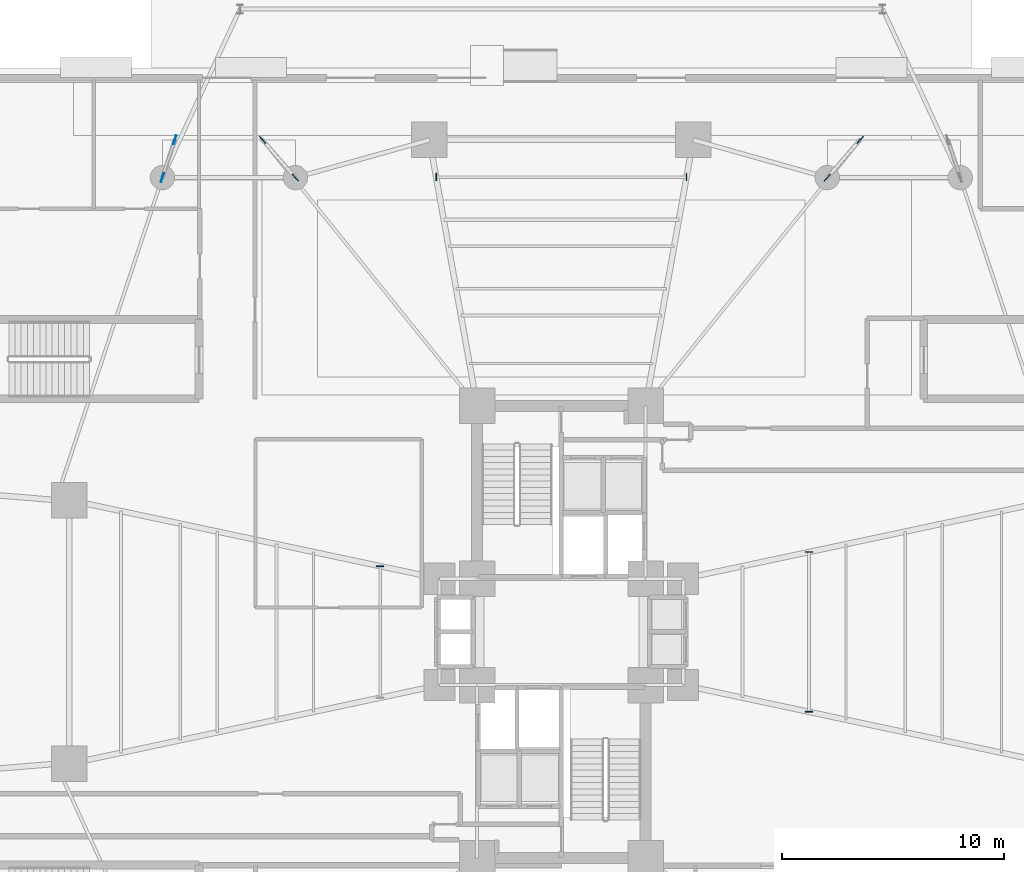
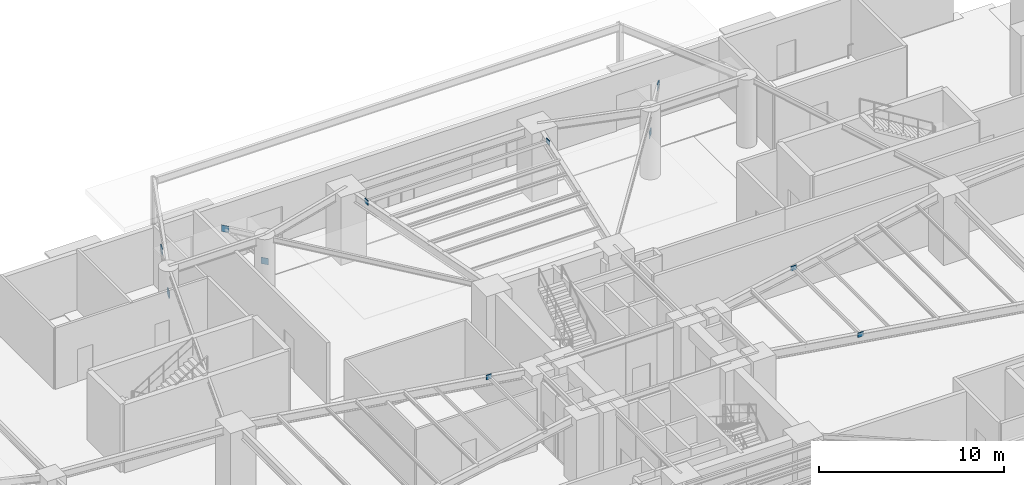
# One storey, part 14 of 31: 11 plates.
"""IFC4 building model written with IfcOpenShell, lengths in metres."""

from ifc_helpers import new_model, si_unit, direction, frame, origin, origin_2d, place, context, subcontext, project, spatial, rectangle, extrude, source, transform, mapped, material, type_object, element, save


model = new_model("IFC4")

# Units and contexts
model_context = context("Model", 3, precision=1e-05, world=origin(), true_north=direction((0.0, 1.0)))
body_context = subcontext(model_context, "Body", "Model", "MODEL_VIEW")
ifc_project = project(units=[si_unit("LENGTHUNIT", "METRE"), si_unit("AREAUNIT", "SQUARE_METRE"), si_unit("VOLUMEUNIT", "CUBIC_METRE"), si_unit("PLANEANGLEUNIT", "RADIAN"), si_unit("MASSUNIT", "GRAM", prefix="KILO")], contexts=[model_context])

# Site, building, storey
site_placement = place(None, origin())
site = spatial("IfcSite", under=ifc_project, at=site_placement, CompositionType="ELEMENT")
building_placement = place(site_placement, origin())
building = spatial("IfcBuilding", under=site, at=building_placement, Name="Sahyath Konkavel Grand Hotel", CompositionType="ELEMENT")
storey_placement = place(building_placement, origin())
storey = spatial("IfcBuildingStorey", under=building, at=storey_placement, Name="L00", CompositionType="ELEMENT", Elevation=0.0)

# Plates
ifc_material = material(Name="Steel E450", Category="steel")
plate_type = type_object("IfcPlateType", Name="GUSSET-END-35", PredefinedType="USERDEFINED", material=ifc_material)
shared_shape_1 = source(origin(), body_context, "Body", "SweptSolid", [
    extrude(rectangle(XDim=0.0400390625, YDim=0.340087890625, at=origin_2d()), origin(), (0.0, 0.0, 1.0), 0.300048828125),
])
for number, where, z_axis, x_axis, name in (
    (1, (11.177978515625, -3.60693359375, 4.22021484375), (0.0, 0.0, 1.0), (0.0, 1.0, 0.0), "L00 Sub-Beam E-2 End Cap A"),
    (2, (11.177978515625, 3.60693359375, 4.22021484375), (0.0, 0.0, 1.0), (0.0, 1.0, 0.0), "L00 Sub-Beam E-2 End Cap B"),
    (3, (-8.172119140625, 2.968017578125, 4.22021484375), (0.0, 0.0, 1.0), (0.0, -1.0, 0.0), "L00 Sub-Beam W-1 End Cap A"),
    (4, (5.64892578125, 20.52001953125, 4.22021484375), (0.0, 0.0, 1.0), (-1.0, 0.0, 0.0), "L00 Sub-Beam N-6 End Cap A"),
    (5, (-5.64892578125, 20.52001953125, 4.22021484375), (0.0, 0.0, 1.0), (-1.0, 0.0, 0.0), "L00 Sub-Beam N-6 End Cap B"),
):
    element("IfcPlate", number, at=place(storey_placement, frame(where, z_axis=z_axis, x_axis=x_axis)), inside=storey, type_object=plate_type, Name=name, ObjectType="GUSSET_PLATE", PredefinedType="USERDEFINED", context=body_context, shape_type="MappedRepresentation", body=[
        mapped(shared_shape_1, transform((0.0, 0.0, 0.0), scale=1.0)),
    ])
shared_shape_2 = source(origin(), body_context, "Body", "SweptSolid", [
    extrude(rectangle(XDim=0.419921875, YDim=0.034912109375, at=origin_2d()), origin(), (0.0, 0.0, 1.0), 0.419921875),
])
for number, where, z_axis, x_axis, name in (
    (6, (-18.0, 20.5, 2.489990234375), (0.0, 0.0, 1.0), (0.312865434255, 0.949797462646, 0.0), "Monsoon Canopy Strut Gusset Plate N-West-1-pier"),
    (7, (-17.43994140625, 22.199951171875, 4.094970703125), (0.0, 0.0, 1.0), (0.312865434255, 0.949797462646, 0.0), "Monsoon Canopy Strut Gusset Plate N-West-1-tip"),
    (8, (-12.0, 20.5, 2.489990234375), (0.0, 0.0, 1.0), (-0.656612083693, 0.75422846111, 0.0), "Monsoon Canopy Strut Gusset Plate N-West-2-pier"),
    (9, (-13.47998046875, 22.199951171875, 4.094970703125), (0.0, 0.0, 1.0), (-0.656612083693, 0.75422846111, 0.0), "Monsoon Canopy Strut Gusset Plate N-West-2-tip"),
    (10, (12.0, 20.5, 2.489990234375), (0.0, 0.0, 1.0), (0.656612083693, 0.75422846111, 0.0), "Monsoon Canopy Strut Gusset Plate N-East-1-pier"),
    (11, (13.47998046875, 22.199951171875, 4.094970703125), (0.0, 0.0, 1.0), (0.656612083693, 0.75422846111, 0.0), "Monsoon Canopy Strut Gusset Plate N-East-1-tip"),
):
    element("IfcPlate", number, at=place(storey_placement, frame(where, z_axis=z_axis, x_axis=x_axis)), inside=storey, type_object=plate_type, Name=name, ObjectType="GUSSET_PLATE", PredefinedType="USERDEFINED", context=body_context, shape_type="MappedRepresentation", body=[
        mapped(shared_shape_2, transform((0.0, 0.0, 0.0), scale=1.0)),
    ])

save(model, "model.ifc")
